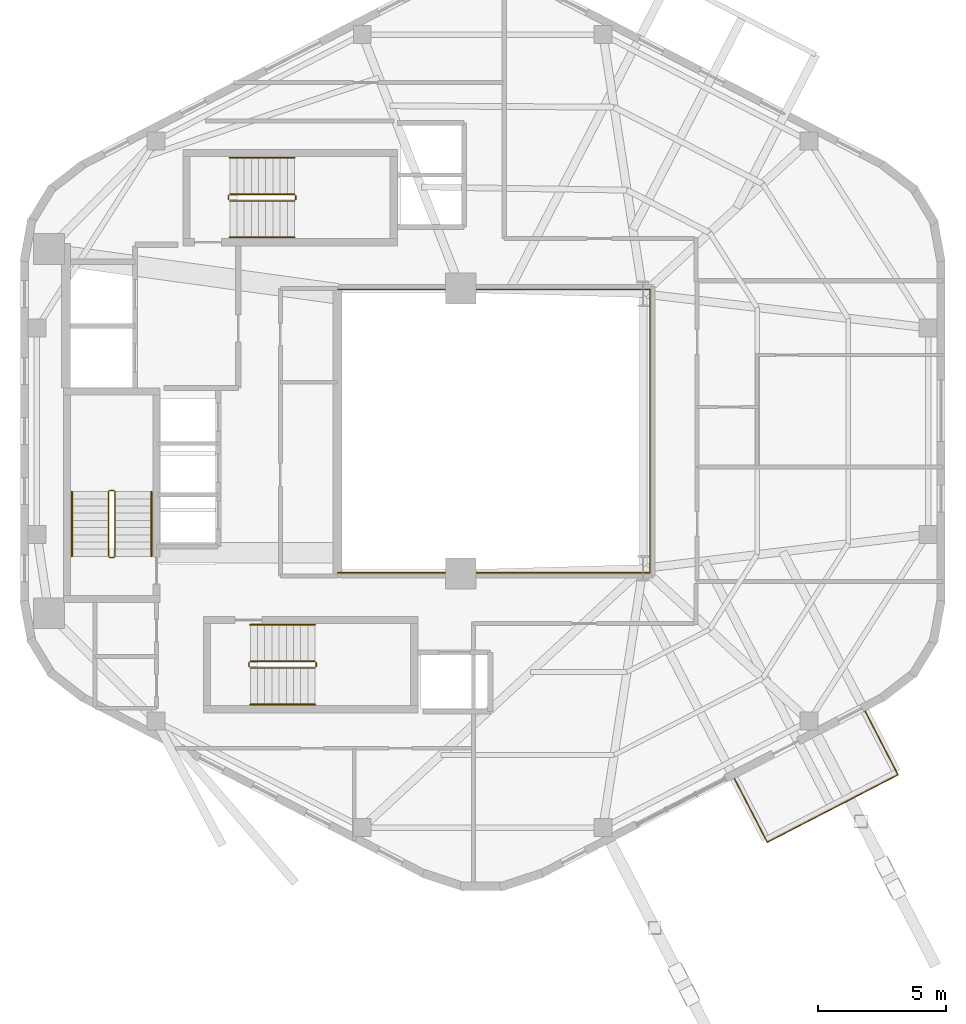
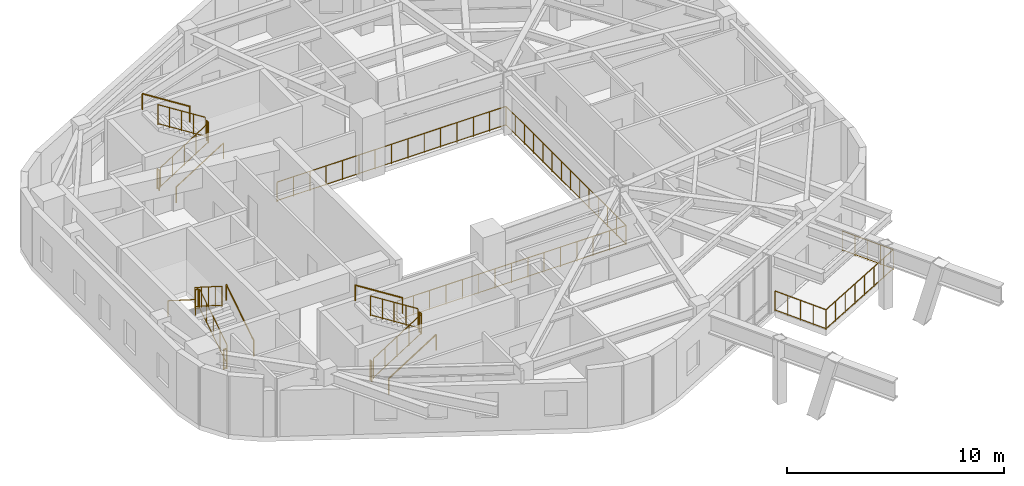
# One storey, part 10 of 10: 20 railings.
"""IFC4 building model written with IfcOpenShell, lengths in metres."""

from ifc_helpers import new_model, si_unit, direction, frame, origin, origin_2d, place, context, subcontext, project, spatial, circle, extrude, material, type_object, element, save


model = new_model("IFC4")

# Units and contexts
model_context = context("Model", 3, precision=1e-05, world=origin(), true_north=direction((0.0, 1.0)))
body_context = subcontext(model_context, "Body", "Model", "MODEL_VIEW")
ifc_project = project(units=[si_unit("LENGTHUNIT", "METRE"), si_unit("AREAUNIT", "SQUARE_METRE"), si_unit("VOLUMEUNIT", "CUBIC_METRE"), si_unit("PLANEANGLEUNIT", "RADIAN"), si_unit("MASSUNIT", "GRAM", prefix="KILO"), si_unit("THERMODYNAMICTEMPERATUREUNIT", "KELVIN"), si_unit("POWERUNIT", "WATT")], contexts=[model_context])

# Site, building, storey
site_placement = place(None, origin())
site = spatial("IfcSite", under=ifc_project, at=site_placement, CompositionType="ELEMENT")
building_placement = place(site_placement, origin())
building = spatial("IfcBuilding", under=site, at=building_placement, Name="Skarre Station Tower", CompositionType="ELEMENT")
storey_placement = place(building_placement, frame((0.0, 0.0, 224.14990234375)))
storey = spatial("IfcBuildingStorey", under=building, at=storey_placement, Name="L61", CompositionType="ELEMENT", Elevation=224.14990234375)

# Railings
ifc_material_1 = material(Name="Bronze Anodized Steel & Laminated Glass Balustrade", Category="steel")
railing_type_1 = type_object("IfcRailingType", Name="Atrium Void & Mezzanine Guard Balustrade 1120", PredefinedType="GUARDRAIL", material=ifc_material_1)
railing_1_placement = place(storey_placement, frame((27.550048828125, 18.47998046875, 0.0)))
element("IfcRailing", 1, at=railing_1_placement, inside=storey, type_object=railing_type_1, Name="L61 Atrium Void Guard Balustrade", PredefinedType="GUARDRAIL", context=body_context, shape_type="SweptSolid", body=[
    extrude(circle(Radius=0.02392578125, at=origin_2d()), frame((0.0, 0.0, 1.09619140625), z_axis=(1.0, 0.0, 0.0), x_axis=(0.0, 1.0, 0.0)), (0.0, 0.0, 1.0), 12.169921875),
    extrude(circle(Radius=0.02099609375, at=origin_2d()), frame((0.0, 0.0, 0.06005859375), z_axis=(1.0, 0.0, 0.0), x_axis=(0.0, 1.0, 0.0)), (0.0, 0.0, 1.0), 12.169921875),
    extrude(circle(Radius=0.02392578125, at=origin_2d()), frame((12.169921875, 0.0, 1.09619140625), z_axis=(0.0, 1.0, 0.0), x_axis=(-1.0, 0.0, 0.0)), (0.0, 0.0, 1.0), 11.0400390625),
    extrude(circle(Radius=0.02099609375, at=origin_2d()), frame((12.169921875, 0.0, 0.06005859375), z_axis=(0.0, 1.0, 0.0), x_axis=(-1.0, 0.0, 0.0)), (0.0, 0.0, 1.0), 11.0400390625),
    extrude(circle(Radius=0.02392578125, at=origin_2d()), frame((12.169921875, 11.0400390625, 1.09619140625), z_axis=(-1.0, 0.0, 0.0), x_axis=(0.0, -1.0, 0.0)), (0.0, 0.0, 1.0), 12.169921875),
    extrude(circle(Radius=0.02099609375, at=origin_2d()), frame((12.169921875, 11.0400390625, 0.06005859375), z_axis=(-1.0, 0.0, 0.0), x_axis=(0.0, -1.0, 0.0)), (0.0, 0.0, 1.0), 12.169921875),
    extrude(circle(Radius=0.02099609375, at=origin_2d()), origin(), (0.0, 0.0, 1.0), 1.072021484375),
    extrude(circle(Radius=0.02099609375, at=origin_2d()), frame((0.869384765625, 0.0, 0.0)), (0.0, 0.0, 1.0), 1.072021484375),
    extrude(circle(Radius=0.02099609375, at=origin_2d()), frame((1.738525390625, 0.0, 0.0)), (0.0, 0.0, 1.0), 1.072021484375),
    extrude(circle(Radius=0.02099609375, at=origin_2d()), frame((2.60791015625, 0.0, 0.0)), (0.0, 0.0, 1.0), 1.072021484375),
    extrude(circle(Radius=0.02099609375, at=origin_2d()), frame((3.47705078125, 0.0, 0.0)), (0.0, 0.0, 1.0), 1.072021484375),
    extrude(circle(Radius=0.02099609375, at=origin_2d()), frame((4.346435546875, 0.0, 0.0)), (0.0, 0.0, 1.0), 1.072021484375),
    extrude(circle(Radius=0.02099609375, at=origin_2d()), frame((5.215576171875, 0.0, 0.0)), (0.0, 0.0, 1.0), 1.072021484375),
    extrude(circle(Radius=0.02099609375, at=origin_2d()), frame((6.0849609375, 0.0, 0.0)), (0.0, 0.0, 1.0), 1.072021484375),
    extrude(circle(Radius=0.02099609375, at=origin_2d()), frame((6.954345703125, 0.0, 0.0)), (0.0, 0.0, 1.0), 1.072021484375),
    extrude(circle(Radius=0.02099609375, at=origin_2d()), frame((7.823486328125, 0.0, 0.0)), (0.0, 0.0, 1.0), 1.072021484375),
    extrude(circle(Radius=0.02099609375, at=origin_2d()), frame((8.69287109375, 0.0, 0.0)), (0.0, 0.0, 1.0), 1.072021484375),
    extrude(circle(Radius=0.02099609375, at=origin_2d()), frame((9.56201171875, 0.0, 0.0)), (0.0, 0.0, 1.0), 1.072021484375),
    extrude(circle(Radius=0.02099609375, at=origin_2d()), frame((10.431396484375, 0.0, 0.0)), (0.0, 0.0, 1.0), 1.072021484375),
    extrude(circle(Radius=0.02099609375, at=origin_2d()), frame((11.300537109375, 0.0, 0.0)), (0.0, 0.0, 1.0), 1.072021484375),
    extrude(circle(Radius=0.02099609375, at=origin_2d()), frame((12.169921875, 0.0, 0.0)), (0.0, 0.0, 1.0), 1.072021484375),
    extrude(circle(Radius=0.02099609375, at=origin_2d()), frame((12.169921875, 0.84912109375, 0.0)), (0.0, 0.0, 1.0), 1.072021484375),
    extrude(circle(Radius=0.02099609375, at=origin_2d()), frame((12.169921875, 1.698486328125, 0.0)), (0.0, 0.0, 1.0), 1.072021484375),
    extrude(circle(Radius=0.02099609375, at=origin_2d()), frame((12.169921875, 2.547607421875, 0.0)), (0.0, 0.0, 1.0), 1.072021484375),
    extrude(circle(Radius=0.02099609375, at=origin_2d()), frame((12.169921875, 3.39697265625, 0.0)), (0.0, 0.0, 1.0), 1.072021484375),
    extrude(circle(Radius=0.02099609375, at=origin_2d()), frame((12.169921875, 4.24609375, 0.0)), (0.0, 0.0, 1.0), 1.072021484375),
    extrude(circle(Radius=0.02099609375, at=origin_2d()), frame((12.169921875, 5.095458984375, 0.0)), (0.0, 0.0, 1.0), 1.072021484375),
    extrude(circle(Radius=0.02099609375, at=origin_2d()), frame((12.169921875, 5.944580078125, 0.0)), (0.0, 0.0, 1.0), 1.072021484375),
    extrude(circle(Radius=0.02099609375, at=origin_2d()), frame((12.169921875, 6.7939453125, 0.0)), (0.0, 0.0, 1.0), 1.072021484375),
    extrude(circle(Radius=0.02099609375, at=origin_2d()), frame((12.169921875, 7.64306640625, 0.0)), (0.0, 0.0, 1.0), 1.072021484375),
    extrude(circle(Radius=0.02099609375, at=origin_2d()), frame((12.169921875, 8.492431640625, 0.0)), (0.0, 0.0, 1.0), 1.072021484375),
    extrude(circle(Radius=0.02099609375, at=origin_2d()), frame((12.169921875, 9.341552734375, 0.0)), (0.0, 0.0, 1.0), 1.072021484375),
    extrude(circle(Radius=0.02099609375, at=origin_2d()), frame((12.169921875, 10.19091796875, 0.0)), (0.0, 0.0, 1.0), 1.072021484375),
    extrude(circle(Radius=0.02099609375, at=origin_2d()), frame((12.169921875, 11.0400390625, 0.0)), (0.0, 0.0, 1.0), 1.072021484375),
    extrude(circle(Radius=0.02099609375, at=origin_2d()), frame((11.300537109375, 11.0400390625, 0.0)), (0.0, 0.0, 1.0), 1.072021484375),
    extrude(circle(Radius=0.02099609375, at=origin_2d()), frame((10.431396484375, 11.0400390625, 0.0)), (0.0, 0.0, 1.0), 1.072021484375),
    extrude(circle(Radius=0.02099609375, at=origin_2d()), frame((9.56201171875, 11.0400390625, 0.0)), (0.0, 0.0, 1.0), 1.072021484375),
    extrude(circle(Radius=0.02099609375, at=origin_2d()), frame((8.69287109375, 11.0400390625, 0.0)), (0.0, 0.0, 1.0), 1.072021484375),
    extrude(circle(Radius=0.02099609375, at=origin_2d()), frame((7.823486328125, 11.0400390625, 0.0)), (0.0, 0.0, 1.0), 1.072021484375),
    extrude(circle(Radius=0.02099609375, at=origin_2d()), frame((6.954345703125, 11.0400390625, 0.0)), (0.0, 0.0, 1.0), 1.072021484375),
    extrude(circle(Radius=0.02099609375, at=origin_2d()), frame((6.0849609375, 11.0400390625, 0.0)), (0.0, 0.0, 1.0), 1.072021484375),
    extrude(circle(Radius=0.02099609375, at=origin_2d()), frame((5.215576171875, 11.0400390625, 0.0)), (0.0, 0.0, 1.0), 1.072021484375),
    extrude(circle(Radius=0.02099609375, at=origin_2d()), frame((4.346435546875, 11.0400390625, 0.0)), (0.0, 0.0, 1.0), 1.072021484375),
    extrude(circle(Radius=0.02099609375, at=origin_2d()), frame((3.47705078125, 11.0400390625, 0.0)), (0.0, 0.0, 1.0), 1.072021484375),
    extrude(circle(Radius=0.02099609375, at=origin_2d()), frame((2.60791015625, 11.0400390625, 0.0)), (0.0, 0.0, 1.0), 1.072021484375),
    extrude(circle(Radius=0.02099609375, at=origin_2d()), frame((1.738525390625, 11.0400390625, 0.0)), (0.0, 0.0, 1.0), 1.072021484375),
    extrude(circle(Radius=0.02099609375, at=origin_2d()), frame((0.869384765625, 11.0400390625, 0.0)), (0.0, 0.0, 1.0), 1.072021484375),
    extrude(circle(Radius=0.02099609375, at=origin_2d()), frame((0.0, 11.0400390625, 0.0)), (0.0, 0.0, 1.0), 1.072021484375),
])
ifc_material_2 = material(Name="Stainless Steel Grade 316L & Laminated Safety Glass", Category="steel")
railing_type_2 = type_object("IfcRailingType", Name="Laminated Glass & Stainless Terrace Guardrail 1150", PredefinedType="BALUSTRADE", material=ifc_material_2)
railing_2_placement = place(storey_placement, frame((48.10595703125, 13.083984375, 0.0)))
element("IfcRailing", 2, at=railing_2_placement, inside=storey, type_object=railing_type_2, Name="L61 SG-3 Conservatory Terrace Guardrail", PredefinedType="BALUSTRADE", context=body_context, shape_type="SweptSolid", body=[
    extrude(circle(Radius=0.02392578125, at=origin_2d()), frame((0.0, 0.0, 1.1259765625), z_axis=(0.458796714428, -0.888541262312, 0.0), x_axis=(0.888541262312, 0.458796714428, 0.0)), (0.0, 0.0, 1.0), 2.7900390625),
    extrude(circle(Radius=0.02099609375, at=origin_2d()), frame((0.0, 0.0, 0.06005859375), z_axis=(0.458796714428, -0.888541262312, 0.0), x_axis=(0.888541262312, 0.458796714428, 0.0)), (0.0, 0.0, 1.0), 2.7900390625),
    extrude(circle(Radius=0.02392578125, at=origin_2d()), frame((1.280029296875, -2.47900390625, 1.1259765625), z_axis=(-0.888600487867, -0.458681995464, 0.0), x_axis=(0.458681995464, -0.888600487867, 0.0)), (0.0, 0.0, 1.0), 5.729248046875),
    extrude(circle(Radius=0.02099609375, at=origin_2d()), frame((1.280029296875, -2.47900390625, 0.06005859375), z_axis=(-0.888600487867, -0.458681995464, 0.0), x_axis=(0.458681995464, -0.888600487867, 0.0)), (0.0, 0.0, 1.0), 5.729248046875),
    extrude(circle(Radius=0.02392578125, at=origin_2d()), frame((-3.81103515625, -5.10693359375, 1.1259765625), z_axis=(-0.458796714428, 0.888541262312, 0.0), x_axis=(-0.888541262312, -0.458796714428, 0.0)), (0.0, 0.0, 1.0), 2.7900390625),
    extrude(circle(Radius=0.02099609375, at=origin_2d()), frame((-3.81103515625, -5.10693359375, 0.06005859375), z_axis=(-0.458796714428, 0.888541262312, 0.0), x_axis=(-0.888541262312, -0.458796714428, 0.0)), (0.0, 0.0, 1.0), 2.7900390625),
    extrude(circle(Radius=0.02099609375, at=origin_2d()), origin(), (0.0, 0.0, 1.0), 1.101806640625),
    extrude(circle(Radius=0.02099609375, at=origin_2d()), frame((0.320068359375, -0.61962890625, 0.0)), (0.0, 0.0, 1.0), 1.101806640625),
    extrude(circle(Radius=0.02099609375, at=origin_2d()), frame((0.64013671875, -1.239501953125, 0.0)), (0.0, 0.0, 1.0), 1.101806640625),
    extrude(circle(Radius=0.02099609375, at=origin_2d()), frame((0.9599609375, -1.859375, 0.0)), (0.0, 0.0, 1.0), 1.101806640625),
    extrude(circle(Radius=0.02099609375, at=origin_2d()), frame((1.280029296875, -2.47900390625, 0.0)), (0.0, 0.0, 1.0), 1.101806640625),
    extrude(circle(Radius=0.02099609375, at=origin_2d()), frame((0.552734375, -2.8544921875, 0.0)), (0.0, 0.0, 1.0), 1.101806640625),
    extrude(circle(Radius=0.02099609375, at=origin_2d()), frame((-0.174560546875, -3.229736328125, 0.0)), (0.0, 0.0, 1.0), 1.101806640625),
    extrude(circle(Radius=0.02099609375, at=origin_2d()), frame((-0.90185546875, -3.605224609375, 0.0)), (0.0, 0.0, 1.0), 1.101806640625),
    extrude(circle(Radius=0.02099609375, at=origin_2d()), frame((-1.629150390625, -3.980712890625, 0.0)), (0.0, 0.0, 1.0), 1.101806640625),
    extrude(circle(Radius=0.02099609375, at=origin_2d()), frame((-2.3564453125, -4.356201171875, 0.0)), (0.0, 0.0, 1.0), 1.101806640625),
    extrude(circle(Radius=0.02099609375, at=origin_2d()), frame((-3.083740234375, -4.7314453125, 0.0)), (0.0, 0.0, 1.0), 1.101806640625),
    extrude(circle(Radius=0.02099609375, at=origin_2d()), frame((-3.81103515625, -5.10693359375, 0.0)), (0.0, 0.0, 1.0), 1.101806640625),
    extrude(circle(Radius=0.02099609375, at=origin_2d()), frame((-4.131103515625, -4.4873046875, 0.0)), (0.0, 0.0, 1.0), 1.101806640625),
    extrude(circle(Radius=0.02099609375, at=origin_2d()), frame((-4.451171875, -3.867431640625, 0.0)), (0.0, 0.0, 1.0), 1.101806640625),
    extrude(circle(Radius=0.02099609375, at=origin_2d()), frame((-4.77099609375, -3.24755859375, 0.0)), (0.0, 0.0, 1.0), 1.101806640625),
    extrude(circle(Radius=0.02099609375, at=origin_2d()), frame((-5.091064453125, -2.6279296875, 0.0)), (0.0, 0.0, 1.0), 1.101806640625),
])
ifc_material_3 = material(Name="Powder-Coated Tubular Steel", Category="steel")
railing_type_3 = type_object("IfcRailingType", Name="Painted Steel Ramp & Stair Handrail 920", PredefinedType="HANDRAIL", material=ifc_material_3)
railing_3_placement = place(storey_placement, frame((20.300048828125, 19.1201171875, 0.177490234375)))
element("IfcRailing", 3, at=railing_3_placement, inside=storey, type_object=railing_type_3, Name="L61 ST-1 stair handrail 1", PredefinedType="HANDRAIL", context=body_context, shape_type="SweptSolid", body=[
    extrude(circle(Radius=0.02392578125, at=origin_2d()), frame((0.0, 0.0, 0.8759765625), z_axis=(0.0, 0.844546487299, 0.535482241341), x_axis=(-1.0, 0.0, 0.0)), (0.0, 0.0, 1.0), 2.983642578125),
    extrude(circle(Radius=0.02099609375, at=origin_2d()), origin(), (0.0, 0.0, 1.0), 0.851806640625),
    extrude(circle(Radius=0.02099609375, at=origin_2d()), frame((0.0, 2.519775390625, 1.59765625)), (0.0, 0.0, 1.0), 0.851806640625),
])
railing_4_placement = place(storey_placement, frame((17.199951171875, 21.639892578125, 1.95263671875)))
element("IfcRailing", 4, at=railing_4_placement, inside=storey, type_object=railing_type_3, Name="L61 ST-1 stair handrail 2", PredefinedType="HANDRAIL", context=body_context, shape_type="SweptSolid", body=[
    extrude(circle(Radius=0.02392578125, at=origin_2d()), frame((0.0, 0.0, 0.8759765625), z_axis=(0.0, -0.844583492756, 0.535423872987), x_axis=(1.0, 0.0, 0.0)), (0.0, 0.0, 1.0), 2.9833984375),
    extrude(circle(Radius=0.02099609375, at=origin_2d()), origin(), (0.0, 0.0, 1.0), 0.851806640625),
    extrude(circle(Radius=0.02099609375, at=origin_2d()), frame((0.0, -2.519775390625, 1.597412109375)), (0.0, 0.0, 1.0), 0.851806640625),
])
railing_5_placement = place(storey_placement, frame((24.14990234375, 13.35009765625, 0.177490234375)))
element("IfcRailing", 5, at=railing_5_placement, inside=storey, type_object=railing_type_3, Name="L61 ST-2 stair handrail 1", PredefinedType="HANDRAIL", context=body_context, shape_type="SweptSolid", body=[
    extrude(circle(Radius=0.02392578125, at=origin_2d()), frame((0.0, 0.0, 0.8759765625), z_axis=(0.84456994832, 0.0, 0.535445237532), x_axis=(0.0, 1.0, 0.0)), (0.0, 0.0, 1.0), 2.98388671875),
    extrude(circle(Radius=0.02099609375, at=origin_2d()), origin(), (0.0, 0.0, 1.0), 0.851806640625),
    extrude(circle(Radius=0.02099609375, at=origin_2d()), frame((2.52001953125, 0.0, 1.59765625)), (0.0, 0.0, 1.0), 0.851806640625),
])
railing_6_placement = place(storey_placement, frame((26.669921875, 16.449951171875, 1.95263671875)))
element("IfcRailing", 6, at=railing_6_placement, inside=storey, type_object=railing_type_3, Name="L61 ST-2 stair handrail 2", PredefinedType="HANDRAIL", context=body_context, shape_type="SweptSolid", body=[
    extrude(circle(Radius=0.02392578125, at=origin_2d()), frame((0.0, 0.0, 0.8759765625), z_axis=(-0.84460694969, 0.0, 0.535386869969), x_axis=(0.0, -1.0, 0.0)), (0.0, 0.0, 1.0), 2.983642578125),
    extrude(circle(Radius=0.02099609375, at=origin_2d()), origin(), (0.0, 0.0, 1.0), 0.851806640625),
    extrude(circle(Radius=0.02099609375, at=origin_2d()), frame((-2.52001953125, 0.0, 1.597412109375)), (0.0, 0.0, 1.0), 0.851806640625),
])
railing_7_placement = place(storey_placement, frame((23.35009765625, 31.550048828125, 0.177490234375)))
element("IfcRailing", 7, at=railing_7_placement, inside=storey, type_object=railing_type_3, Name="L61 ST-3 stair handrail 1", PredefinedType="HANDRAIL", context=body_context, shape_type="SweptSolid", body=[
    extrude(circle(Radius=0.02392578125, at=origin_2d()), frame((0.0, 0.0, 0.8759765625), z_axis=(0.84456994832, 0.0, 0.535445237532), x_axis=(0.0, 1.0, 0.0)), (0.0, 0.0, 1.0), 2.98388671875),
    extrude(circle(Radius=0.02099609375, at=origin_2d()), origin(), (0.0, 0.0, 1.0), 0.851806640625),
    extrude(circle(Radius=0.02099609375, at=origin_2d()), frame((2.52001953125, 0.0, 1.59765625)), (0.0, 0.0, 1.0), 0.851806640625),
])
railing_8_placement = place(storey_placement, frame((25.8701171875, 34.64990234375, 1.95263671875)))
element("IfcRailing", 8, at=railing_8_placement, inside=storey, type_object=railing_type_3, Name="L61 ST-3 stair handrail 2", PredefinedType="HANDRAIL", context=body_context, shape_type="SweptSolid", body=[
    extrude(circle(Radius=0.02392578125, at=origin_2d()), frame((0.0, 0.0, 0.8759765625), z_axis=(-0.84460694969, 0.0, 0.535386869969), x_axis=(0.0, -1.0, 0.0)), (0.0, 0.0, 1.0), 2.983642578125),
    extrude(circle(Radius=0.02099609375, at=origin_2d()), origin(), (0.0, 0.0, 1.0), 0.851806640625),
    extrude(circle(Radius=0.02099609375, at=origin_2d()), frame((-2.52001953125, 0.0, 1.597412109375)), (0.0, 0.0, 1.0), 0.851806640625),
])
railing_type_4 = type_object("IfcRailingType", Name="Painted Steel Stairwell Guardrail 1100", PredefinedType="GUARDRAIL", material=ifc_material_3)
railing_9_placement = place(storey_placement, frame((18.8798828125, 19.1201171875, 0.177490234375)))
element("IfcRailing", 9, at=railing_9_placement, inside=storey, type_object=railing_type_4, Name="L61 ST-1 stair guard 1", PredefinedType="GUARDRAIL", context=body_context, shape_type="SweptSolid", body=[
    extrude(circle(Radius=0.02392578125, at=origin_2d()), frame((0.0, 0.0, 1.1259765625), z_axis=(0.0, 0.844546487299, 0.535482241341), x_axis=(-1.0, 0.0, 0.0)), (0.0, 0.0, 1.0), 2.983642578125),
    extrude(circle(Radius=0.02099609375, at=origin_2d()), frame((0.0, 0.0, 0.06005859375), z_axis=(0.0, 0.844546487299, 0.535482241341), x_axis=(-1.0, 0.0, 0.0)), (0.0, 0.0, 1.0), 2.983642578125),
    extrude(circle(Radius=0.02099609375, at=origin_2d()), origin(), (0.0, 0.0, 1.0), 1.101806640625),
    extrude(circle(Radius=0.02099609375, at=origin_2d()), frame((0.0, 0.6298828125, 0.3994140625)), (0.0, 0.0, 1.0), 1.101806640625),
    extrude(circle(Radius=0.02099609375, at=origin_2d()), frame((0.0, 1.259765625, 0.798828125)), (0.0, 0.0, 1.0), 1.101806640625),
    extrude(circle(Radius=0.02099609375, at=origin_2d()), frame((0.0, 1.889892578125, 1.1982421875)), (0.0, 0.0, 1.0), 1.101806640625),
    extrude(circle(Radius=0.02099609375, at=origin_2d()), frame((0.0, 2.519775390625, 1.59765625)), (0.0, 0.0, 1.0), 1.101806640625),
])
railing_10_placement = place(storey_placement, frame((18.830078125, 21.68994140625, 1.775146484375)))
element("IfcRailing", 10, at=railing_10_placement, inside=storey, type_object=railing_type_4, Name="L61 ST-1 stair guard 2", PredefinedType="GUARDRAIL", context=body_context, shape_type="SweptSolid", body=[
    extrude(circle(Radius=0.02392578125, at=origin_2d()), frame((0.0, 0.0, 1.1259765625), z_axis=(-1.0, 0.0, 0.0), x_axis=(0.0, -1.0, 0.0)), (0.0, 0.0, 1.0), 0.16015625),
    extrude(circle(Radius=0.02099609375, at=origin_2d()), frame((0.0, 0.0, 0.06005859375), z_axis=(-1.0, 0.0, 0.0), x_axis=(0.0, -1.0, 0.0)), (0.0, 0.0, 1.0), 0.16015625),
    extrude(circle(Radius=0.02099609375, at=origin_2d()), origin(), (0.0, 0.0, 1.0), 1.101806640625),
    extrude(circle(Radius=0.02099609375, at=origin_2d()), frame((-0.16015625, 0.0, 0.0)), (0.0, 0.0, 1.0), 1.101806640625),
])
railing_11_placement = place(storey_placement, frame((18.6201171875, 21.639892578125, 1.95263671875)))
element("IfcRailing", 11, at=railing_11_placement, inside=storey, type_object=railing_type_4, Name="L61 ST-1 stair guard 3", PredefinedType="GUARDRAIL", context=body_context, shape_type="SweptSolid", body=[
    extrude(circle(Radius=0.02392578125, at=origin_2d()), frame((0.0, 0.0, 1.1259765625), z_axis=(0.0, -0.844583492756, 0.535423872987), x_axis=(1.0, 0.0, 0.0)), (0.0, 0.0, 1.0), 2.9833984375),
    extrude(circle(Radius=0.02099609375, at=origin_2d()), frame((0.0, 0.0, 0.06005859375), z_axis=(0.0, -0.844583492756, 0.535423872987), x_axis=(1.0, 0.0, 0.0)), (0.0, 0.0, 1.0), 2.9833984375),
    extrude(circle(Radius=0.02099609375, at=origin_2d()), origin(), (0.0, 0.0, 1.0), 1.101806640625),
    extrude(circle(Radius=0.02099609375, at=origin_2d()), frame((0.0, -0.6298828125, 0.3994140625)), (0.0, 0.0, 1.0), 1.101806640625),
    extrude(circle(Radius=0.02099609375, at=origin_2d()), frame((0.0, -1.259765625, 0.798828125)), (0.0, 0.0, 1.0), 1.101806640625),
    extrude(circle(Radius=0.02099609375, at=origin_2d()), frame((0.0, -1.889892578125, 1.197998046875)), (0.0, 0.0, 1.0), 1.101806640625),
    extrude(circle(Radius=0.02099609375, at=origin_2d()), frame((0.0, -2.519775390625, 1.597412109375)), (0.0, 0.0, 1.0), 1.101806640625),
])
railing_12_placement = place(storey_placement, frame((18.830078125, 19.070068359375, 0.0)))
element("IfcRailing", 12, at=railing_12_placement, inside=storey, type_object=railing_type_4, Name="L61 ST-1 stair guard 4", PredefinedType="GUARDRAIL", context=body_context, shape_type="SweptSolid", body=[
    extrude(circle(Radius=0.02392578125, at=origin_2d()), frame((0.0, 0.0, 1.1259765625), z_axis=(-1.0, 0.0, 0.0), x_axis=(0.0, -1.0, 0.0)), (0.0, 0.0, 1.0), 0.16015625),
    extrude(circle(Radius=0.02099609375, at=origin_2d()), frame((0.0, 0.0, 0.06005859375), z_axis=(-1.0, 0.0, 0.0), x_axis=(0.0, -1.0, 0.0)), (0.0, 0.0, 1.0), 0.16015625),
    extrude(circle(Radius=0.02099609375, at=origin_2d()), origin(), (0.0, 0.0, 1.0), 1.101806640625),
    extrude(circle(Radius=0.02099609375, at=origin_2d()), frame((-0.16015625, 0.0, 0.0)), (0.0, 0.0, 1.0), 1.101806640625),
])
railing_13_placement = place(storey_placement, frame((24.14990234375, 14.77001953125, 0.177490234375)))
element("IfcRailing", 13, at=railing_13_placement, inside=storey, type_object=railing_type_4, Name="L61 ST-2 stair guard 1", PredefinedType="GUARDRAIL", context=body_context, shape_type="SweptSolid", body=[
    extrude(circle(Radius=0.02392578125, at=origin_2d()), frame((0.0, 0.0, 1.1259765625), z_axis=(0.84456994832, 0.0, 0.535445237532), x_axis=(0.0, 1.0, 0.0)), (0.0, 0.0, 1.0), 2.98388671875),
    extrude(circle(Radius=0.02099609375, at=origin_2d()), frame((0.0, 0.0, 0.06005859375), z_axis=(0.84456994832, 0.0, 0.535445237532), x_axis=(0.0, 1.0, 0.0)), (0.0, 0.0, 1.0), 2.98388671875),
    extrude(circle(Radius=0.02099609375, at=origin_2d()), origin(), (0.0, 0.0, 1.0), 1.101806640625),
    extrude(circle(Radius=0.02099609375, at=origin_2d()), frame((0.6298828125, 0.0, 0.3994140625)), (0.0, 0.0, 1.0), 1.101806640625),
    extrude(circle(Radius=0.02099609375, at=origin_2d()), frame((1.260009765625, 0.0, 0.798828125)), (0.0, 0.0, 1.0), 1.101806640625),
    extrude(circle(Radius=0.02099609375, at=origin_2d()), frame((1.89013671875, 0.0, 1.1982421875)), (0.0, 0.0, 1.0), 1.101806640625),
    extrude(circle(Radius=0.02099609375, at=origin_2d()), frame((2.52001953125, 0.0, 1.59765625)), (0.0, 0.0, 1.0), 1.101806640625),
])
railing_14_placement = place(storey_placement, frame((26.719970703125, 14.820068359375, 1.775146484375)))
element("IfcRailing", 14, at=railing_14_placement, inside=storey, type_object=railing_type_4, Name="L61 ST-2 stair guard 2", PredefinedType="GUARDRAIL", context=body_context, shape_type="SweptSolid", body=[
    extrude(circle(Radius=0.02392578125, at=origin_2d()), frame((0.0, 0.0, 1.1259765625), z_axis=(0.0, 1.0, 0.0), x_axis=(-1.0, 0.0, 0.0)), (0.0, 0.0, 1.0), 0.159912109375),
    extrude(circle(Radius=0.02099609375, at=origin_2d()), frame((0.0, 0.0, 0.06005859375), z_axis=(0.0, 1.0, 0.0), x_axis=(-1.0, 0.0, 0.0)), (0.0, 0.0, 1.0), 0.159912109375),
    extrude(circle(Radius=0.02099609375, at=origin_2d()), origin(), (0.0, 0.0, 1.0), 1.101806640625),
    extrude(circle(Radius=0.02099609375, at=origin_2d()), frame((0.0, 0.159912109375, 0.0)), (0.0, 0.0, 1.0), 1.101806640625),
])
railing_15_placement = place(storey_placement, frame((26.669921875, 15.030029296875, 1.95263671875)))
element("IfcRailing", 15, at=railing_15_placement, inside=storey, type_object=railing_type_4, Name="L61 ST-2 stair guard 3", PredefinedType="GUARDRAIL", context=body_context, shape_type="SweptSolid", body=[
    extrude(circle(Radius=0.02392578125, at=origin_2d()), frame((0.0, 0.0, 1.1259765625), z_axis=(-0.84460694969, 0.0, 0.535386869969), x_axis=(0.0, -1.0, 0.0)), (0.0, 0.0, 1.0), 2.983642578125),
    extrude(circle(Radius=0.02099609375, at=origin_2d()), frame((0.0, 0.0, 0.06005859375), z_axis=(-0.84460694969, 0.0, 0.535386869969), x_axis=(0.0, -1.0, 0.0)), (0.0, 0.0, 1.0), 2.983642578125),
    extrude(circle(Radius=0.02099609375, at=origin_2d()), origin(), (0.0, 0.0, 1.0), 1.101806640625),
    extrude(circle(Radius=0.02099609375, at=origin_2d()), frame((-0.6298828125, 0.0, 0.3994140625)), (0.0, 0.0, 1.0), 1.101806640625),
    extrude(circle(Radius=0.02099609375, at=origin_2d()), frame((-1.260009765625, 0.0, 0.798828125)), (0.0, 0.0, 1.0), 1.101806640625),
    extrude(circle(Radius=0.02099609375, at=origin_2d()), frame((-1.89013671875, 0.0, 1.197998046875)), (0.0, 0.0, 1.0), 1.101806640625),
    extrude(circle(Radius=0.02099609375, at=origin_2d()), frame((-2.52001953125, 0.0, 1.597412109375)), (0.0, 0.0, 1.0), 1.101806640625),
])
railing_16_placement = place(storey_placement, frame((24.10009765625, 14.820068359375, 0.0)))
element("IfcRailing", 16, at=railing_16_placement, inside=storey, type_object=railing_type_4, Name="L61 ST-2 stair guard 4", PredefinedType="GUARDRAIL", context=body_context, shape_type="SweptSolid", body=[
    extrude(circle(Radius=0.02392578125, at=origin_2d()), frame((0.0, 0.0, 1.1259765625), z_axis=(0.0, 1.0, 0.0), x_axis=(-1.0, 0.0, 0.0)), (0.0, 0.0, 1.0), 0.159912109375),
    extrude(circle(Radius=0.02099609375, at=origin_2d()), frame((0.0, 0.0, 0.06005859375), z_axis=(0.0, 1.0, 0.0), x_axis=(-1.0, 0.0, 0.0)), (0.0, 0.0, 1.0), 0.159912109375),
    extrude(circle(Radius=0.02099609375, at=origin_2d()), origin(), (0.0, 0.0, 1.0), 1.101806640625),
    extrude(circle(Radius=0.02099609375, at=origin_2d()), frame((0.0, 0.159912109375, 0.0)), (0.0, 0.0, 1.0), 1.101806640625),
])
railing_17_placement = place(storey_placement, frame((23.35009765625, 32.969970703125, 0.177490234375)))
element("IfcRailing", 17, at=railing_17_placement, inside=storey, type_object=railing_type_4, Name="L61 ST-3 stair guard 1", PredefinedType="GUARDRAIL", context=body_context, shape_type="SweptSolid", body=[
    extrude(circle(Radius=0.02392578125, at=origin_2d()), frame((0.0, 0.0, 1.1259765625), z_axis=(0.84456994832, 0.0, 0.535445237532), x_axis=(0.0, 1.0, 0.0)), (0.0, 0.0, 1.0), 2.98388671875),
    extrude(circle(Radius=0.02099609375, at=origin_2d()), frame((0.0, 0.0, 0.06005859375), z_axis=(0.84456994832, 0.0, 0.535445237532), x_axis=(0.0, 1.0, 0.0)), (0.0, 0.0, 1.0), 2.98388671875),
    extrude(circle(Radius=0.02099609375, at=origin_2d()), origin(), (0.0, 0.0, 1.0), 1.101806640625),
    extrude(circle(Radius=0.02099609375, at=origin_2d()), frame((0.6298828125, 0.0, 0.3994140625)), (0.0, 0.0, 1.0), 1.101806640625),
    extrude(circle(Radius=0.02099609375, at=origin_2d()), frame((1.260009765625, 0.0, 0.798828125)), (0.0, 0.0, 1.0), 1.101806640625),
    extrude(circle(Radius=0.02099609375, at=origin_2d()), frame((1.89013671875, 0.0, 1.1982421875)), (0.0, 0.0, 1.0), 1.101806640625),
    extrude(circle(Radius=0.02099609375, at=origin_2d()), frame((2.52001953125, 0.0, 1.59765625)), (0.0, 0.0, 1.0), 1.101806640625),
])
railing_18_placement = place(storey_placement, frame((25.919921875, 33.02001953125, 1.775146484375)))
element("IfcRailing", 18, at=railing_18_placement, inside=storey, type_object=railing_type_4, Name="L61 ST-3 stair guard 2", PredefinedType="GUARDRAIL", context=body_context, shape_type="SweptSolid", body=[
    extrude(circle(Radius=0.02392578125, at=origin_2d()), frame((0.0, 0.0, 1.1259765625), z_axis=(0.0, 1.0, 0.0), x_axis=(-1.0, 0.0, 0.0)), (0.0, 0.0, 1.0), 0.159912109375),
    extrude(circle(Radius=0.02099609375, at=origin_2d()), frame((0.0, 0.0, 0.06005859375), z_axis=(0.0, 1.0, 0.0), x_axis=(-1.0, 0.0, 0.0)), (0.0, 0.0, 1.0), 0.159912109375),
    extrude(circle(Radius=0.02099609375, at=origin_2d()), origin(), (0.0, 0.0, 1.0), 1.101806640625),
    extrude(circle(Radius=0.02099609375, at=origin_2d()), frame((0.0, 0.159912109375, 0.0)), (0.0, 0.0, 1.0), 1.101806640625),
])
railing_19_placement = place(storey_placement, frame((25.8701171875, 33.22998046875, 1.95263671875)))
element("IfcRailing", 19, at=railing_19_placement, inside=storey, type_object=railing_type_4, Name="L61 ST-3 stair guard 3", PredefinedType="GUARDRAIL", context=body_context, shape_type="SweptSolid", body=[
    extrude(circle(Radius=0.02392578125, at=origin_2d()), frame((0.0, 0.0, 1.1259765625), z_axis=(-0.84460694969, 0.0, 0.535386869969), x_axis=(0.0, -1.0, 0.0)), (0.0, 0.0, 1.0), 2.983642578125),
    extrude(circle(Radius=0.02099609375, at=origin_2d()), frame((0.0, 0.0, 0.06005859375), z_axis=(-0.84460694969, 0.0, 0.535386869969), x_axis=(0.0, -1.0, 0.0)), (0.0, 0.0, 1.0), 2.983642578125),
    extrude(circle(Radius=0.02099609375, at=origin_2d()), origin(), (0.0, 0.0, 1.0), 1.101806640625),
    extrude(circle(Radius=0.02099609375, at=origin_2d()), frame((-0.6298828125, 0.0, 0.3994140625)), (0.0, 0.0, 1.0), 1.101806640625),
    extrude(circle(Radius=0.02099609375, at=origin_2d()), frame((-1.260009765625, 0.0, 0.798828125)), (0.0, 0.0, 1.0), 1.101806640625),
    extrude(circle(Radius=0.02099609375, at=origin_2d()), frame((-1.89013671875, 0.0, 1.197998046875)), (0.0, 0.0, 1.0), 1.101806640625),
    extrude(circle(Radius=0.02099609375, at=origin_2d()), frame((-2.52001953125, 0.0, 1.597412109375)), (0.0, 0.0, 1.0), 1.101806640625),
])
railing_20_placement = place(storey_placement, frame((23.300048828125, 33.02001953125, 0.0)))
element("IfcRailing", 20, at=railing_20_placement, inside=storey, type_object=railing_type_4, Name="L61 ST-3 stair guard 4", PredefinedType="GUARDRAIL", context=body_context, shape_type="SweptSolid", body=[
    extrude(circle(Radius=0.02392578125, at=origin_2d()), frame((0.0, 0.0, 1.1259765625), z_axis=(0.0, 1.0, 0.0), x_axis=(-1.0, 0.0, 0.0)), (0.0, 0.0, 1.0), 0.159912109375),
    extrude(circle(Radius=0.02099609375, at=origin_2d()), frame((0.0, 0.0, 0.06005859375), z_axis=(0.0, 1.0, 0.0), x_axis=(-1.0, 0.0, 0.0)), (0.0, 0.0, 1.0), 0.159912109375),
    extrude(circle(Radius=0.02099609375, at=origin_2d()), origin(), (0.0, 0.0, 1.0), 1.101806640625),
    extrude(circle(Radius=0.02099609375, at=origin_2d()), frame((0.0, 0.159912109375, 0.0)), (0.0, 0.0, 1.0), 1.101806640625),
])

save(model, "model.ifc")
